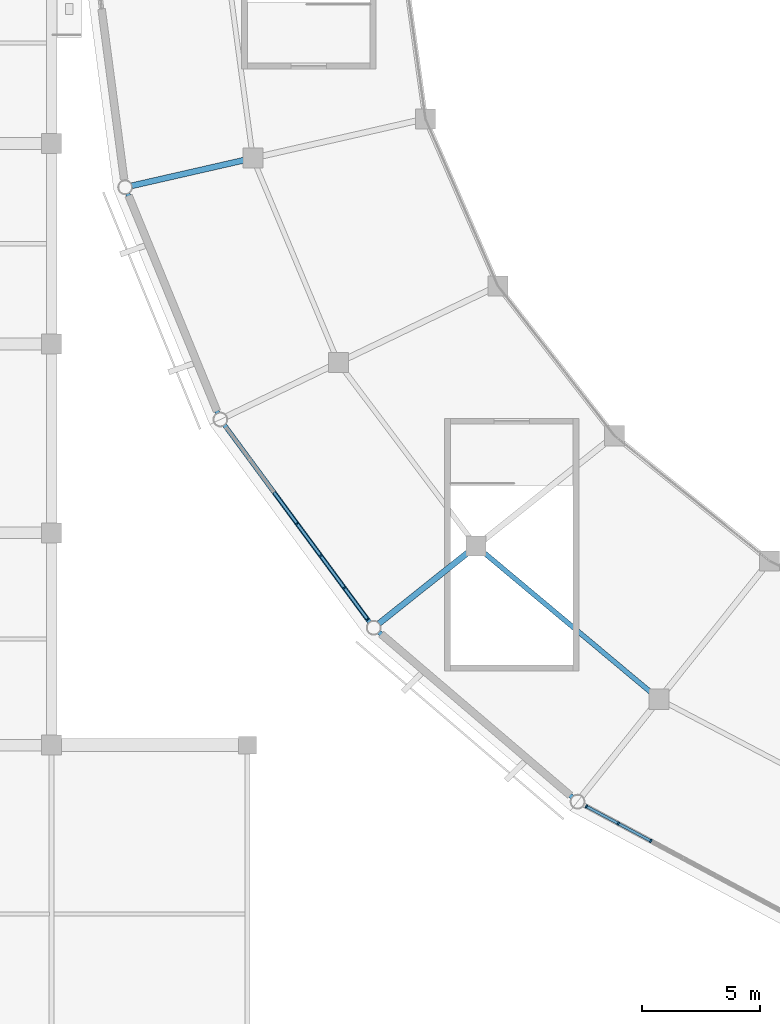
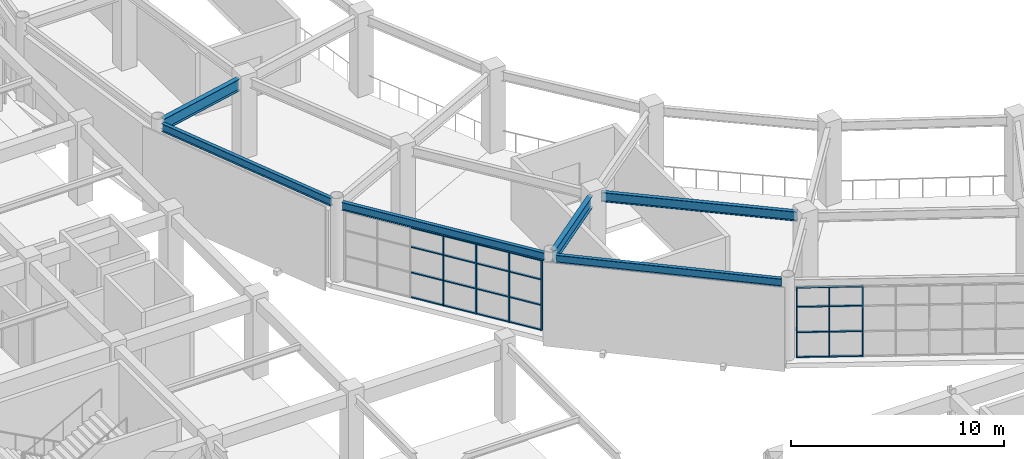
# One storey, part 22 of 112: 31 members, 6 beams, 2 elements without a shape of their own.
"""IFC4 building model written with IfcOpenShell, lengths in metres."""

from ifc_helpers import new_model, si_unit, direction, frame, origin, origin_2d, place, context, subcontext, project, spatial, rectangle, i_section, extrude, material, material_profile, profile_set, type_object, element, aggregate, save


model = new_model("IFC4")

# Units and contexts
model_context = context("Model", 3, precision=1e-05, world=origin(), true_north=direction((0.0, 1.0)))
body_context = subcontext(model_context, "Body", "Model", "MODEL_VIEW")
ifc_project = project(units=[si_unit("LENGTHUNIT", "METRE"), si_unit("AREAUNIT", "SQUARE_METRE"), si_unit("VOLUMEUNIT", "CUBIC_METRE"), si_unit("PLANEANGLEUNIT", "RADIAN"), si_unit("MASSUNIT", "GRAM", prefix="KILO")], contexts=[model_context])

# Site, building, storey
site_placement = place(None, origin())
site = spatial("IfcSite", under=ifc_project, at=site_placement, CompositionType="ELEMENT")
building_placement = place(site_placement, origin())
building = spatial("IfcBuilding", under=site, at=building_placement, Name="Cuetzalor Civic Arena", CompositionType="ELEMENT")
storey_placement = place(building_placement, frame((0.0, 0.0, 11.39990234375)))
storey = spatial("IfcBuildingStorey", under=building, at=storey_placement, Name="L02", CompositionType="ELEMENT", Elevation=11.39990234375)

# Curtain wall, members
ifc_material_1 = material(Name="Anodised dark bronze aluminium and low-E solar glass", Category="aluminium")
curtain_wall_type_1 = type_object("IfcCurtainWallType", Name="UnitisedCW_10150x4050", PredefinedType="USERDEFINED", material=ifc_material_1)
curtain_wall_1_placement = place(storey_placement, origin())
curtain_wall_1 = element("IfcCurtainWall", 1, at=curtain_wall_1_placement, inside=storey, type_object=curtain_wall_type_1, Name="Drum Triangle Foyer Curtain Wall L02-039", ObjectType="UNITISED CURTAIN WALL", PredefinedType="USERDEFINED")
ifc_material_2 = material(Name="Anodised dark bronze aluminium", Category="aluminium")
ifc_material_profile_1 = material_profile(ifc_material_2, rectangle(XDim=0.06494140625, YDim=0.14990234375, at=origin_2d()), Name="ALU MULLION 65x150")
ifc_profile_set_1 = profile_set([ifc_material_profile_1], Name="Anodised dark bronze aluminium")
member_type_1 = type_object("IfcMemberType", Name="CurtainWallMullion_60x150", PredefinedType="MULLION", material=ifc_profile_set_1)
member_1_placement = place(storey_placement, frame((-42.910400390625, -28.66845703125, 0.0), z_axis=(0.0, 0.0, 1.0), x_axis=(-0.59292931222, 0.805254513002, 0.0)))
member_1 = element("IfcMember", 2, at=member_1_placement, type_object=member_type_1, Name="CW-12 mullion 1", PredefinedType="MULLION", context=body_context, shape_type="SweptSolid", body=[
    extrude(rectangle(XDim=0.06494140625, YDim=0.14990234375, at=origin_2d()), origin(), (0.0, 0.0, 1.0), 4.052978515625),
])
member_2_placement = place(storey_placement, frame((-43.8935546875, -27.333251953125, 0.0), z_axis=(0.0, 0.0, 1.0), x_axis=(-0.59292931222, 0.805254513002, 0.0)))
member_2 = element("IfcMember", 3, at=member_2_placement, type_object=member_type_1, Name="CW-12 mullion 2", PredefinedType="MULLION", context=body_context, shape_type="SweptSolid", body=[
    extrude(rectangle(XDim=0.06494140625, YDim=0.14990234375, at=origin_2d()), origin(), (0.0, 0.0, 1.0), 4.052978515625),
])
member_3_placement = place(storey_placement, frame((-44.89599609375, -25.9716796875, 0.0), z_axis=(0.0, 0.0, 1.0), x_axis=(-0.59292931222, 0.805254513002, 0.0)))
member_3 = element("IfcMember", 4, at=member_3_placement, type_object=member_type_1, Name="CW-12 mullion 3", PredefinedType="MULLION", context=body_context, shape_type="SweptSolid", body=[
    extrude(rectangle(XDim=0.06494140625, YDim=0.14990234375, at=origin_2d()), origin(), (0.0, 0.0, 1.0), 4.052978515625),
])
member_4_placement = place(storey_placement, frame((-45.8984375, -24.6103515625, 0.0), z_axis=(0.0, 0.0, 1.0), x_axis=(-0.59292931222, 0.805254513002, 0.0)))
member_4 = element("IfcMember", 5, at=member_4_placement, type_object=member_type_1, Name="CW-12 mullion 4", PredefinedType="MULLION", context=body_context, shape_type="SweptSolid", body=[
    extrude(rectangle(XDim=0.06494140625, YDim=0.14990234375, at=origin_2d()), origin(), (0.0, 0.0, 1.0), 4.052978515625),
])

ifc_material_3 = material(Name="Anodised dark bronze aluminium and low-E solar glass", Category="aluminium")
curtain_wall_type_2 = type_object("IfcCurtainWallType", Name="UnitisedCW_10950x4050", PredefinedType="USERDEFINED", material=ifc_material_3)
curtain_wall_2_placement = place(storey_placement, origin())
curtain_wall_2 = element("IfcCurtainWall", 6, at=curtain_wall_2_placement, inside=storey, type_object=curtain_wall_type_2, Name="Drum Triangle Foyer Curtain Wall L02-040", ObjectType="UNITISED CURTAIN WALL", PredefinedType="USERDEFINED")
member_5_placement = place(storey_placement, frame((-30.9072265625, -38.058837890625, 0.0), z_axis=(0.0, 0.0, 1.0), x_axis=(-0.881306344124, 0.472545371163, 0.0)))
member_5 = element("IfcMember", 7, at=member_5_placement, type_object=member_type_1, Name="CW-13 mullion 6", PredefinedType="MULLION", context=body_context, shape_type="SweptSolid", body=[
    extrude(rectangle(XDim=0.06494140625, YDim=0.14990234375, at=origin_2d()), origin(), (0.0, 0.0, 1.0), 4.052978515625),
])
member_6_placement = place(storey_placement, frame((-32.28515625, -37.31982421875, 0.0), z_axis=(0.0, 0.0, 1.0), x_axis=(-0.881306344124, 0.472545371163, 0.0)))
member_6 = element("IfcMember", 8, at=member_6_placement, type_object=member_type_1, Name="CW-13 mullion 7", PredefinedType="MULLION", context=body_context, shape_type="SweptSolid", body=[
    extrude(rectangle(XDim=0.06494140625, YDim=0.14990234375, at=origin_2d()), origin(), (0.0, 0.0, 1.0), 4.052978515625),
])
member_7_placement = place(storey_placement, frame((-33.634765625, -36.59619140625, 0.0), z_axis=(0.0, 0.0, 1.0), x_axis=(-0.881306344124, 0.472545371163, 0.0)))
member_7 = element("IfcMember", 9, at=member_7_placement, type_object=member_type_1, Name="CW-13 mullion 8", PredefinedType="MULLION", context=body_context, shape_type="SweptSolid", body=[
    extrude(rectangle(XDim=0.06494140625, YDim=0.14990234375, at=origin_2d()), origin(), (0.0, 0.0, 1.0), 4.052978515625),
])

# Member
ifc_material_4 = material(Name="Anodised dark bronze aluminium", Category="aluminium")
ifc_material_profile_2 = material_profile(ifc_material_4, rectangle(XDim=0.1201171875, YDim=0.06494140625, at=origin_2d()), Name="ALU TRANSOM 65x120")
ifc_profile_set_2 = profile_set([ifc_material_profile_2], Name="Anodised dark bronze aluminium")
member_type_2 = type_object("IfcMemberType", Name="CurtainWallTransom_60x120", PredefinedType="USERDEFINED", material=ifc_profile_set_2)
member_8_placement = place(storey_placement, frame((-42.9296875, -28.642333984375, 0.03271484375), z_axis=(-0.59289058609, 0.805283026597, 0.0), x_axis=(-0.805283026597, -0.59289058609, 0.0)))
member_8 = element("IfcMember", 10, at=member_8_placement, type_object=member_type_2, Name="CW-12 transom 1.1", ObjectType="TRANSOM", PredefinedType="USERDEFINED", context=body_context, shape_type="SweptSolid", body=[
    extrude(rectangle(XDim=0.1201171875, YDim=0.06494140625, at=origin_2d()), origin(), (0.0, 0.0, 1.0), 1.59326171875),
])

member_9_placement = place(storey_placement, frame((-42.9296875, -28.642333984375, 1.458984375), z_axis=(-0.59289058609, 0.805283026597, 0.0), x_axis=(-0.805283026597, -0.59289058609, 0.0)))
member_9 = element("IfcMember", 11, at=member_9_placement, type_object=member_type_2, Name="CW-12 transom 1.2", ObjectType="TRANSOM", PredefinedType="USERDEFINED", context=body_context, shape_type="SweptSolid", body=[
    extrude(rectangle(XDim=0.1201171875, YDim=0.06494140625, at=origin_2d()), origin(), (0.0, 0.0, 1.0), 1.59326171875),
])

member_10_placement = place(storey_placement, frame((-42.9296875, -28.642333984375, 2.918212890625), z_axis=(-0.59289058609, 0.805283026597, 0.0), x_axis=(-0.805283026597, -0.59289058609, 0.0)))
member_10 = element("IfcMember", 12, at=member_10_placement, type_object=member_type_2, Name="CW-12 transom 1.3", ObjectType="TRANSOM", PredefinedType="USERDEFINED", context=body_context, shape_type="SweptSolid", body=[
    extrude(rectangle(XDim=0.1201171875, YDim=0.06494140625, at=origin_2d()), origin(), (0.0, 0.0, 1.0), 1.59326171875),
])

member_11_placement = place(storey_placement, frame((-42.9296875, -28.642333984375, 4.0205078125), z_axis=(-0.59289058609, 0.805283026597, 0.0), x_axis=(-0.805283026597, -0.59289058609, 0.0)))
member_11 = element("IfcMember", 13, at=member_11_placement, type_object=member_type_2, Name="CW-12 transom 1.4", ObjectType="TRANSOM", PredefinedType="USERDEFINED", context=body_context, shape_type="SweptSolid", body=[
    extrude(rectangle(XDim=0.1201171875, YDim=0.06494140625, at=origin_2d()), origin(), (0.0, 0.0, 1.0), 1.59326171875),
])

member_12_placement = place(storey_placement, frame((-43.912841796875, -27.30712890625, 0.03271484375), z_axis=(-0.592912120819, 0.805267171183, 0.0), x_axis=(-0.805267171183, -0.592912120819, 0.0)))
member_12 = element("IfcMember", 14, at=member_12_placement, type_object=member_type_2, Name="CW-12 transom 2.1", ObjectType="TRANSOM", PredefinedType="USERDEFINED", context=body_context, shape_type="SweptSolid", body=[
    extrude(rectangle(XDim=0.1201171875, YDim=0.06494140625, at=origin_2d()), origin(), (0.0, 0.0, 1.0), 1.625732421875),
])

member_13_placement = place(storey_placement, frame((-43.912841796875, -27.30712890625, 1.458984375), z_axis=(-0.592912120819, 0.805267171183, 0.0), x_axis=(-0.805267171183, -0.592912120819, 0.0)))
member_13 = element("IfcMember", 15, at=member_13_placement, type_object=member_type_2, Name="CW-12 transom 2.2", ObjectType="TRANSOM", PredefinedType="USERDEFINED", context=body_context, shape_type="SweptSolid", body=[
    extrude(rectangle(XDim=0.1201171875, YDim=0.06494140625, at=origin_2d()), origin(), (0.0, 0.0, 1.0), 1.625732421875),
])

member_14_placement = place(storey_placement, frame((-43.912841796875, -27.30712890625, 2.918212890625), z_axis=(-0.592912120819, 0.805267171183, 0.0), x_axis=(-0.805267171183, -0.592912120819, 0.0)))
member_14 = element("IfcMember", 16, at=member_14_placement, type_object=member_type_2, Name="CW-12 transom 2.3", ObjectType="TRANSOM", PredefinedType="USERDEFINED", context=body_context, shape_type="SweptSolid", body=[
    extrude(rectangle(XDim=0.1201171875, YDim=0.06494140625, at=origin_2d()), origin(), (0.0, 0.0, 1.0), 1.625732421875),
])

member_15_placement = place(storey_placement, frame((-43.912841796875, -27.30712890625, 4.0205078125), z_axis=(-0.592912120819, 0.805267171183, 0.0), x_axis=(-0.805267171183, -0.592912120819, 0.0)))
member_15 = element("IfcMember", 17, at=member_15_placement, type_object=member_type_2, Name="CW-12 transom 2.4", ObjectType="TRANSOM", PredefinedType="USERDEFINED", context=body_context, shape_type="SweptSolid", body=[
    extrude(rectangle(XDim=0.1201171875, YDim=0.06494140625, at=origin_2d()), origin(), (0.0, 0.0, 1.0), 1.625732421875),
])

member_16_placement = place(storey_placement, frame((-44.915283203125, -25.945556640625, 0.03271484375), z_axis=(-0.592912120819, 0.805267171183, 0.0), x_axis=(-0.805267171183, -0.592912120819, 0.0)))
member_16 = element("IfcMember", 18, at=member_16_placement, type_object=member_type_2, Name="CW-12 transom 3.1", ObjectType="TRANSOM", PredefinedType="USERDEFINED", context=body_context, shape_type="SweptSolid", body=[
    extrude(rectangle(XDim=0.1201171875, YDim=0.06494140625, at=origin_2d()), origin(), (0.0, 0.0, 1.0), 1.625732421875),
])

member_17_placement = place(storey_placement, frame((-44.915283203125, -25.945556640625, 1.458984375), z_axis=(-0.592912120819, 0.805267171183, 0.0), x_axis=(-0.805267171183, -0.592912120819, 0.0)))
member_17 = element("IfcMember", 19, at=member_17_placement, type_object=member_type_2, Name="CW-12 transom 3.2", ObjectType="TRANSOM", PredefinedType="USERDEFINED", context=body_context, shape_type="SweptSolid", body=[
    extrude(rectangle(XDim=0.1201171875, YDim=0.06494140625, at=origin_2d()), origin(), (0.0, 0.0, 1.0), 1.625732421875),
])

member_18_placement = place(storey_placement, frame((-44.915283203125, -25.945556640625, 2.918212890625), z_axis=(-0.592912120819, 0.805267171183, 0.0), x_axis=(-0.805267171183, -0.592912120819, 0.0)))
member_18 = element("IfcMember", 20, at=member_18_placement, type_object=member_type_2, Name="CW-12 transom 3.3", ObjectType="TRANSOM", PredefinedType="USERDEFINED", context=body_context, shape_type="SweptSolid", body=[
    extrude(rectangle(XDim=0.1201171875, YDim=0.06494140625, at=origin_2d()), origin(), (0.0, 0.0, 1.0), 1.625732421875),
])

member_19_placement = place(storey_placement, frame((-44.915283203125, -25.945556640625, 4.0205078125), z_axis=(-0.592912120819, 0.805267171183, 0.0), x_axis=(-0.805267171183, -0.592912120819, 0.0)))
member_19 = element("IfcMember", 21, at=member_19_placement, type_object=member_type_2, Name="CW-12 transom 3.4", ObjectType="TRANSOM", PredefinedType="USERDEFINED", context=body_context, shape_type="SweptSolid", body=[
    extrude(rectangle(XDim=0.1201171875, YDim=0.06494140625, at=origin_2d()), origin(), (0.0, 0.0, 1.0), 1.625732421875),
])

member_20_placement = place(storey_placement, frame((-45.917724609375, -24.584228515625, 0.03271484375), z_axis=(-0.592912120819, 0.805267171183, 0.0), x_axis=(-0.805267171183, -0.592912120819, 0.0)))
member_20 = element("IfcMember", 22, at=member_20_placement, type_object=member_type_2, Name="CW-12 transom 4.1", ObjectType="TRANSOM", PredefinedType="USERDEFINED", context=body_context, shape_type="SweptSolid", body=[
    extrude(rectangle(XDim=0.1201171875, YDim=0.06494140625, at=origin_2d()), origin(), (0.0, 0.0, 1.0), 1.625732421875),
])

member_21_placement = place(storey_placement, frame((-45.917724609375, -24.584228515625, 1.458984375), z_axis=(-0.592912120819, 0.805267171183, 0.0), x_axis=(-0.805267171183, -0.592912120819, 0.0)))
member_21 = element("IfcMember", 23, at=member_21_placement, type_object=member_type_2, Name="CW-12 transom 4.2", ObjectType="TRANSOM", PredefinedType="USERDEFINED", context=body_context, shape_type="SweptSolid", body=[
    extrude(rectangle(XDim=0.1201171875, YDim=0.06494140625, at=origin_2d()), origin(), (0.0, 0.0, 1.0), 1.625732421875),
])

member_22_placement = place(storey_placement, frame((-45.917724609375, -24.584228515625, 2.918212890625), z_axis=(-0.592912120819, 0.805267171183, 0.0), x_axis=(-0.805267171183, -0.592912120819, 0.0)))
member_22 = element("IfcMember", 24, at=member_22_placement, type_object=member_type_2, Name="CW-12 transom 4.3", ObjectType="TRANSOM", PredefinedType="USERDEFINED", context=body_context, shape_type="SweptSolid", body=[
    extrude(rectangle(XDim=0.1201171875, YDim=0.06494140625, at=origin_2d()), origin(), (0.0, 0.0, 1.0), 1.625732421875),
])

member_23_placement = place(storey_placement, frame((-45.917724609375, -24.584228515625, 4.0205078125), z_axis=(-0.592912120819, 0.805267171183, 0.0), x_axis=(-0.805267171183, -0.592912120819, 0.0)))
member_23 = element("IfcMember", 25, at=member_23_placement, type_object=member_type_2, Name="CW-12 transom 4.4", ObjectType="TRANSOM", PredefinedType="USERDEFINED", context=body_context, shape_type="SweptSolid", body=[
    extrude(rectangle(XDim=0.1201171875, YDim=0.06494140625, at=origin_2d()), origin(), (0.0, 0.0, 1.0), 1.625732421875),
])

aggregate(curtain_wall_1, [member_1, member_2, member_3, member_4, member_8, member_9, member_10, member_11, member_12, member_13, member_14, member_15, member_16, member_17, member_18, member_19, member_20, member_21, member_22, member_23])

member_24_placement = place(storey_placement, frame((-30.935791015625, -38.04345703125, 0.03271484375), z_axis=(-0.881291006113, 0.472573975737, 0.0), x_axis=(-0.472573975737, -0.881291006113, 0.0)))
member_24 = element("IfcMember", 26, at=member_24_placement, type_object=member_type_2, Name="CW-13 transom 6.1", ObjectType="TRANSOM", PredefinedType="USERDEFINED", context=body_context, shape_type="SweptSolid", body=[
    extrude(rectangle(XDim=0.1201171875, YDim=0.06494140625, at=origin_2d()), origin(), (0.0, 0.0, 1.0), 1.498779296875),
])

member_25_placement = place(storey_placement, frame((-30.935791015625, -38.04345703125, 1.458984375), z_axis=(-0.881291006113, 0.472573975737, 0.0), x_axis=(-0.472573975737, -0.881291006113, 0.0)))
member_25 = element("IfcMember", 27, at=member_25_placement, type_object=member_type_2, Name="CW-13 transom 6.2", ObjectType="TRANSOM", PredefinedType="USERDEFINED", context=body_context, shape_type="SweptSolid", body=[
    extrude(rectangle(XDim=0.1201171875, YDim=0.06494140625, at=origin_2d()), origin(), (0.0, 0.0, 1.0), 1.498779296875),
])

member_26_placement = place(storey_placement, frame((-30.935791015625, -38.04345703125, 2.918212890625), z_axis=(-0.881291006113, 0.472573975737, 0.0), x_axis=(-0.472573975737, -0.881291006113, 0.0)))
member_26 = element("IfcMember", 28, at=member_26_placement, type_object=member_type_2, Name="CW-13 transom 6.3", ObjectType="TRANSOM", PredefinedType="USERDEFINED", context=body_context, shape_type="SweptSolid", body=[
    extrude(rectangle(XDim=0.1201171875, YDim=0.06494140625, at=origin_2d()), origin(), (0.0, 0.0, 1.0), 1.498779296875),
])

member_27_placement = place(storey_placement, frame((-30.935791015625, -38.04345703125, 4.0205078125), z_axis=(-0.881291006113, 0.472573975737, 0.0), x_axis=(-0.472573975737, -0.881291006113, 0.0)))
member_27 = element("IfcMember", 29, at=member_27_placement, type_object=member_type_2, Name="CW-13 transom 6.4", ObjectType="TRANSOM", PredefinedType="USERDEFINED", context=body_context, shape_type="SweptSolid", body=[
    extrude(rectangle(XDim=0.1201171875, YDim=0.06494140625, at=origin_2d()), origin(), (0.0, 0.0, 1.0), 1.498779296875),
])

member_28_placement = place(storey_placement, frame((-32.31396484375, -37.304443359375, 0.03271484375), z_axis=(-0.881309117216, 0.472540199255, 0.0), x_axis=(-0.472540199255, -0.881309117216, 0.0)))
member_28 = element("IfcMember", 30, at=member_28_placement, type_object=member_type_2, Name="CW-13 transom 7.1", ObjectType="TRANSOM", PredefinedType="USERDEFINED", context=body_context, shape_type="SweptSolid", body=[
    extrude(rectangle(XDim=0.1201171875, YDim=0.06494140625, at=origin_2d()), origin(), (0.0, 0.0, 1.0), 1.46630859375),
])

member_29_placement = place(storey_placement, frame((-32.31396484375, -37.304443359375, 1.458984375), z_axis=(-0.881309117216, 0.472540199255, 0.0), x_axis=(-0.472540199255, -0.881309117216, 0.0)))
member_29 = element("IfcMember", 31, at=member_29_placement, type_object=member_type_2, Name="CW-13 transom 7.2", ObjectType="TRANSOM", PredefinedType="USERDEFINED", context=body_context, shape_type="SweptSolid", body=[
    extrude(rectangle(XDim=0.1201171875, YDim=0.06494140625, at=origin_2d()), origin(), (0.0, 0.0, 1.0), 1.46630859375),
])

member_30_placement = place(storey_placement, frame((-32.31396484375, -37.304443359375, 2.918212890625), z_axis=(-0.881309117216, 0.472540199255, 0.0), x_axis=(-0.472540199255, -0.881309117216, 0.0)))
member_30 = element("IfcMember", 32, at=member_30_placement, type_object=member_type_2, Name="CW-13 transom 7.3", ObjectType="TRANSOM", PredefinedType="USERDEFINED", context=body_context, shape_type="SweptSolid", body=[
    extrude(rectangle(XDim=0.1201171875, YDim=0.06494140625, at=origin_2d()), origin(), (0.0, 0.0, 1.0), 1.46630859375),
])

member_31_placement = place(storey_placement, frame((-32.31396484375, -37.304443359375, 4.0205078125), z_axis=(-0.881309117216, 0.472540199255, 0.0), x_axis=(-0.472540199255, -0.881309117216, 0.0)))
member_31 = element("IfcMember", 33, at=member_31_placement, type_object=member_type_2, Name="CW-13 transom 7.4", ObjectType="TRANSOM", PredefinedType="USERDEFINED", context=body_context, shape_type="SweptSolid", body=[
    extrude(rectangle(XDim=0.1201171875, YDim=0.06494140625, at=origin_2d()), origin(), (0.0, 0.0, 1.0), 1.46630859375),
])

aggregate(curtain_wall_2, [member_5, member_6, member_7, member_24, member_25, member_26, member_27, member_28, member_29, member_30, member_31])

# Beams
ifc_material_5 = material(Name="Steel S355", Category="steel")
ifc_material_profile_3 = material_profile(ifc_material_5, i_section(OverallWidth=0.18994140625, OverallDepth=0.45703125, WebThickness=0.009033203125, FlangeThickness=0.014404296875, at=origin_2d()), Name="W460x74")
ifc_profile_set_3 = profile_set([ifc_material_profile_3], Name="Steel S355")
beam_type_1 = type_object("IfcBeamType", Name="FacadeSpandrelBeam_W460", PredefinedType="SPANDREL", material=ifc_profile_set_3)
beam_1_placement = place(storey_placement, frame((-53.072265625, -10.626708984375, 4.29150390625), z_axis=(0.379398599643, -0.925233323324, 0.0), x_axis=(0.925233323324, 0.379398599643, 0.0)))
element("IfcBeam", 34, at=beam_1_placement, inside=storey, type_object=beam_type_1, Name="Drum Perimeter Spandrel L02-S16", PredefinedType="SPANDREL", context=body_context, shape_type="SweptSolid", body=[
    extrude(i_section(OverallWidth=0.18994140625, OverallDepth=0.45703125, WebThickness=0.009033203125, FlangeThickness=0.014404296875, at=origin_2d()), origin(), (0.0, 0.0, 1.0), 10.053955078125),
])
beam_2_placement = place(storey_placement, frame((-48.975830078125, -20.430908203125, 4.29150390625), z_axis=(0.592928645702, -0.805255003776, 0.0), x_axis=(0.805255003776, 0.592928645702, 0.0)))
element("IfcBeam", 35, at=beam_2_placement, inside=storey, type_object=beam_type_1, Name="Drum Perimeter Spandrel L02-S17", PredefinedType="SPANDREL", context=body_context, shape_type="SweptSolid", body=[
    extrude(i_section(OverallWidth=0.18994140625, OverallDepth=0.45703125, WebThickness=0.009033203125, FlangeThickness=0.014404296875, at=origin_2d()), origin(), (0.0, 0.0, 1.0), 10.380615234375),
])
beam_3_placement = place(storey_placement, frame((-42.42822265625, -29.211669921875, 4.29150390625), z_axis=(0.760676650628, -0.649130983076, 0.0), x_axis=(0.649130983076, 0.760676650628, 0.0)))
element("IfcBeam", 36, at=beam_3_placement, inside=storey, type_object=beam_type_1, Name="Drum Perimeter Spandrel L02-S18", PredefinedType="SPANDREL", context=body_context, shape_type="SweptSolid", body=[
    extrude(i_section(OverallWidth=0.18994140625, OverallDepth=0.45703125, WebThickness=0.009033203125, FlangeThickness=0.014404296875, at=origin_2d()), origin(), (0.0, 0.0, 1.0), 10.77490234375),
])
ifc_material_6 = material(Name="Steel S355", Category="steel")
ifc_material_profile_4 = material_profile(ifc_material_6, i_section(OverallWidth=0.208984375, OverallDepth=0.532958984375, WebThickness=0.01025390625, FlangeThickness=0.015625, at=origin_2d()), Name="W530x92")
ifc_profile_set_4 = profile_set([ifc_material_profile_4], Name="Steel S355")
beam_type_2 = type_object("IfcBeamType", Name="SteelCollarGirder_W530", PredefinedType="BEAM", material=ifc_profile_set_4)
beam_4_placement = place(storey_placement, frame((-38.02587890625, -25.800537109375, 4.253662109375), z_axis=(0.766937066427, -0.641722320121, 0.0), x_axis=(0.641722320121, 0.766937066427, 0.0)))
element("IfcBeam", 37, at=beam_4_placement, inside=storey, type_object=beam_type_2, Name="Drum Concourse Ring Girder L02-S18", PredefinedType="BEAM", context=body_context, shape_type="SweptSolid", body=[
    extrude(i_section(OverallWidth=0.208984375, OverallDepth=0.532958984375, WebThickness=0.01025390625, FlangeThickness=0.015625, at=origin_2d()), origin(), (0.0, 0.0, 1.0), 9.37646484375),
])
ifc_material_7 = material(Name="Steel S355", Category="steel")
ifc_material_profile_5 = material_profile(ifc_material_7, i_section(OverallWidth=0.2529296875, OverallDepth=0.677978515625, WebThickness=0.01171875, FlangeThickness=0.016357421875, at=origin_2d()), Name="W690x125")
ifc_profile_set_5 = profile_set([ifc_material_profile_5], Name="Steel S355")
beam_type_3 = type_object("IfcBeamType", Name="SteelPrimaryGirder_W690", PredefinedType="BEAM", material=ifc_profile_set_5)
for number, where, z_axis, x_axis, name in (
    (38, (-48.12255859375, -9.20361328125, 4.18115234375), (-0.974939153271, -0.222471677792, 0.0), (0.222471677792, -0.974939153271, 0.0), "Drum Radial Girder L02-R16"),
    (39, (-38.59130859375, -25.78759765625, 4.18115234375), (-0.781810957258, -0.623515538789, 0.0), (0.623515538789, -0.781810957258, 0.0), "Drum Radial Girder L02-R18"),
):
    element("IfcBeam", number, at=place(storey_placement, frame(where, z_axis=z_axis, x_axis=x_axis)), inside=storey, type_object=beam_type_3, Name=name, PredefinedType="BEAM", context=body_context, shape_type="SweptSolid", body=[
        extrude(i_section(OverallWidth=0.2529296875, OverallDepth=0.677978515625, WebThickness=0.01171875, FlangeThickness=0.016357421875, at=origin_2d()), origin(), (0.0, 0.0, 1.0), 4.89990234375),
    ])

save(model, "model.ifc")
